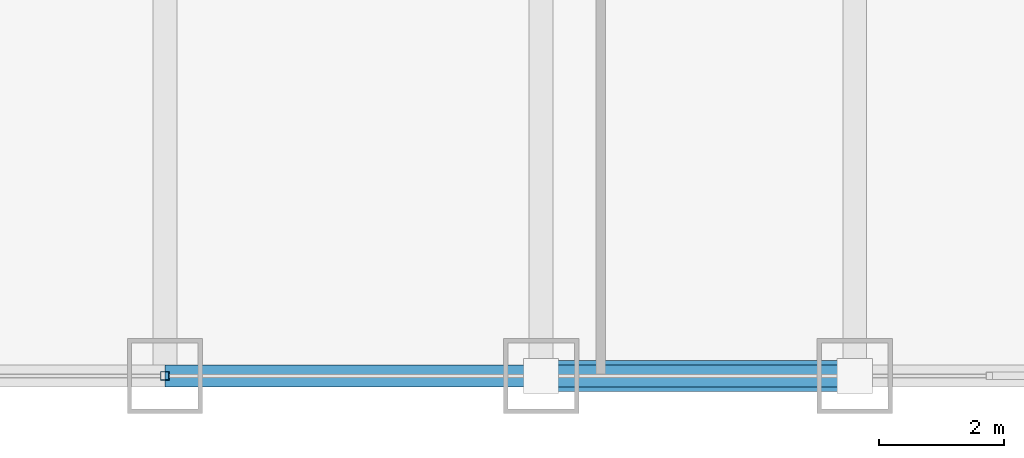
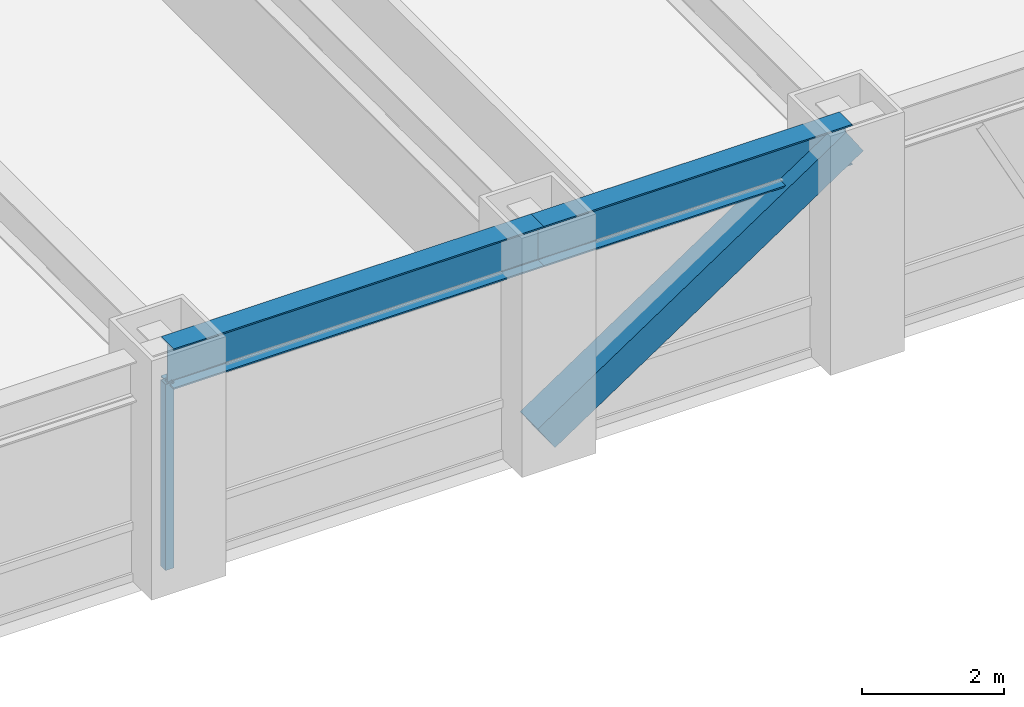
# One storey, part 4 of 27: 2 beams, 2 members, 1 element without a shape of its own.
"""IFC4 building model written with IfcOpenShell, lengths in metres."""

from ifc_helpers import new_model, si_unit, direction, frame, origin, origin_2d, place, context, subcontext, project, spatial, hollow_rectangle, i_section, extrude, source, transform, mapped, material, material_profile, profile_set, type_object, element, aggregate, save


model = new_model("IFC4")

# Units and contexts
model_context = context("Model", 3, precision=1e-05, world=origin(), true_north=direction((0.0, 1.0)))
body_context = subcontext(model_context, "Body", "Model", "MODEL_VIEW")
ifc_project = project(units=[si_unit("LENGTHUNIT", "METRE"), si_unit("AREAUNIT", "SQUARE_METRE"), si_unit("VOLUMEUNIT", "CUBIC_METRE"), si_unit("PLANEANGLEUNIT", "RADIAN"), si_unit("MASSUNIT", "GRAM", prefix="KILO")], contexts=[model_context])

# Site, building, storey
site_placement = place(None, origin())
site = spatial("IfcSite", under=ifc_project, at=site_placement, CompositionType="ELEMENT")
building_placement = place(site_placement, origin())
building = spatial("IfcBuilding", under=site, at=building_placement, Name="Khorayat Bourse Tower", CompositionType="ELEMENT")
storey_placement = place(building_placement, frame((0.0, 0.0, 107.800048828125)))
storey = spatial("IfcBuildingStorey", under=building, at=storey_placement, Name="L24", CompositionType="ELEMENT", Elevation=107.800048828125)

# Beams
ifc_material_1 = material(Name="Steel ASTM A992 Grade 50", Category="steel")
ifc_material_profile_1 = material_profile(ifc_material_1, i_section(OverallWidth=0.35498046875, OverallDepth=0.695068359375, WebThickness=0.015380859375, FlangeThickness=0.02490234375, FilletRadius=0.01806640625, at=origin_2d()), Name="W690X217")
ifc_profile_set_1 = profile_set([ifc_material_profile_1], Name="Steel ASTM A992 Grade 50")
beam_type = type_object("IfcBeamType", Name="BM-SPAN-690", PredefinedType="SPANDREL", material=ifc_profile_set_1)
shared_shape_1 = source(origin(), body_context, "Body", "SweptSolid", [
    extrude(i_section(OverallWidth=0.35498046875, OverallDepth=0.695068359375, WebThickness=0.015380859375, FlangeThickness=0.02490234375, FilletRadius=0.01806640625, at=origin_2d()), origin(), (0.0, 0.0, 1.0), 5.0),
])
beam_1_placement = place(storey_placement, frame((6.0, -32.0, 3.492431640625), z_axis=(1.0, 0.0, 0.0), x_axis=(0.0, 1.0, 0.0)))
element("IfcBeam", 1, at=beam_1_placement, inside=storey, type_object=beam_type, Name="L24 BM-SPAN-690 BM-L24-SPN-029", PredefinedType="SPANDREL", context=body_context, shape_type="MappedRepresentation", body=[
    mapped(shared_shape_1, transform((0.0, 0.0, 0.0), scale=1.0)),
])
shared_shape_2 = source(origin(), body_context, "Body", "SweptSolid", [
    extrude(i_section(OverallWidth=0.35498046875, OverallDepth=0.695068359375, WebThickness=0.015380859375, FlangeThickness=0.02490234375, FilletRadius=0.01806640625, at=origin_2d()), origin(), (0.0, 0.0, 1.0), 6.0),
])
beam_2_placement = place(storey_placement, frame((0.0, -32.0, 3.492431640625), z_axis=(1.0, 0.0, 0.0), x_axis=(0.0, 1.0, 0.0)))
element("IfcBeam", 2, at=beam_2_placement, inside=storey, type_object=beam_type, Name="L24 BM-SPAN-690 BM-L24-SPN-028", PredefinedType="SPANDREL", context=body_context, shape_type="MappedRepresentation", body=[
    mapped(shared_shape_2, transform((0.0, 0.0, 0.0), scale=1.0)),
])

# Member
ifc_material_2 = material(Name="Steel EN 10025-4 S460M", Category="steel")
ifc_material_profile_2 = material_profile(ifc_material_2, hollow_rectangle(XDim=0.5, YDim=0.5, WallThickness=0.028076171875, at=origin_2d()), Name="HSS 500x500x28")
ifc_profile_set_2 = profile_set([ifc_material_profile_2], Name="Steel EN 10025-4 S460M")
member_type_1 = type_object("IfcMemberType", Name="MBR-TUBE-500", PredefinedType="BRACE", material=ifc_profile_set_2)
shared_shape_3 = source(origin(), body_context, "Body", "SweptSolid", [
    extrude(hollow_rectangle(XDim=0.5, YDim=0.5, WallThickness=0.028076171875, at=origin_2d()), origin(), (0.0, 0.0, 1.0), 6.012939453125),
])
member_1_placement = place(storey_placement, frame((6.0, -32.0, 0.25), z_axis=(0.831550226979, 0.0, 0.555449565677), x_axis=(0.0, 1.0, 0.0)))
element("IfcMember", 3, at=member_1_placement, inside=storey, type_object=member_type_1, Name="L24 Perimeter Tube Brace 02", PredefinedType="BRACE", context=body_context, shape_type="MappedRepresentation", body=[
    mapped(shared_shape_3, transform((0.0, 0.0, 0.0), scale=1.0)),
])

# Curtain wall, member
ifc_material_3 = material(Name="Aluminium EN AW-6063 T6", Category="aluminium")
curtain_wall_type = type_object("IfcCurtainWallType", Name="CW-SYS-02", PredefinedType="NOTDEFINED", material=ifc_material_3)
curtain_wall_placement = place(storey_placement, origin())
curtain_wall = element("IfcCurtainWall", 4, at=curtain_wall_placement, inside=storey, type_object=curtain_wall_type, Name="L24 Curtain Wall CW-L24-S1", PredefinedType="NOTDEFINED")
ifc_material_profile_3 = material_profile(ifc_material_3, hollow_rectangle(XDim=0.139892578125, YDim=0.139892578125, WallThickness=0.006103515625, at=origin_2d()), Name="ALU 140x140x6")
ifc_profile_set_3 = profile_set([ifc_material_profile_3], Name="Aluminium EN AW-6063 T6")
member_type_2 = type_object("IfcMemberType", Name="CWM-VERT-140", PredefinedType="MULLION", material=ifc_profile_set_3)
shared_shape_4 = source(origin(), body_context, "Body", "SweptSolid", [
    extrude(hollow_rectangle(XDim=0.139892578125, YDim=0.139892578125, WallThickness=0.006103515625, at=origin_2d()), origin(), (0.0, 0.0, 1.0), 3.18994140625),
])
member_2_placement = place(storey_placement, frame((0.0, -32.0, 0.0), z_axis=(0.0, 0.0, 1.0), x_axis=(0.0, 1.0, 0.0)))
member_2 = element("IfcMember", 5, at=member_2_placement, type_object=member_type_2, Name="CW-L24-S1 Vertical Mullion 2", PredefinedType="MULLION", context=body_context, shape_type="MappedRepresentation", body=[
    mapped(shared_shape_4, transform((0.0, 0.0, 0.0), scale=1.0)),
])
aggregate(curtain_wall, [member_2])

save(model, "model.ifc")
